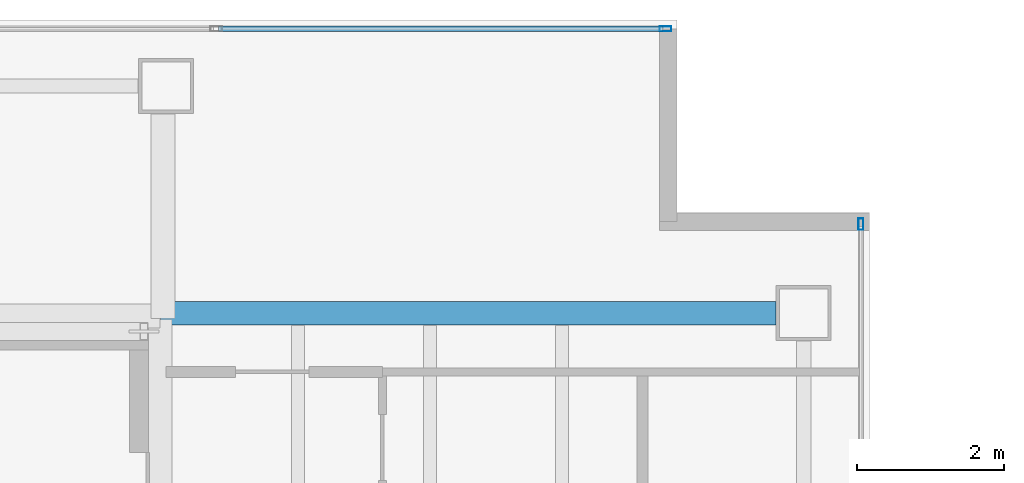
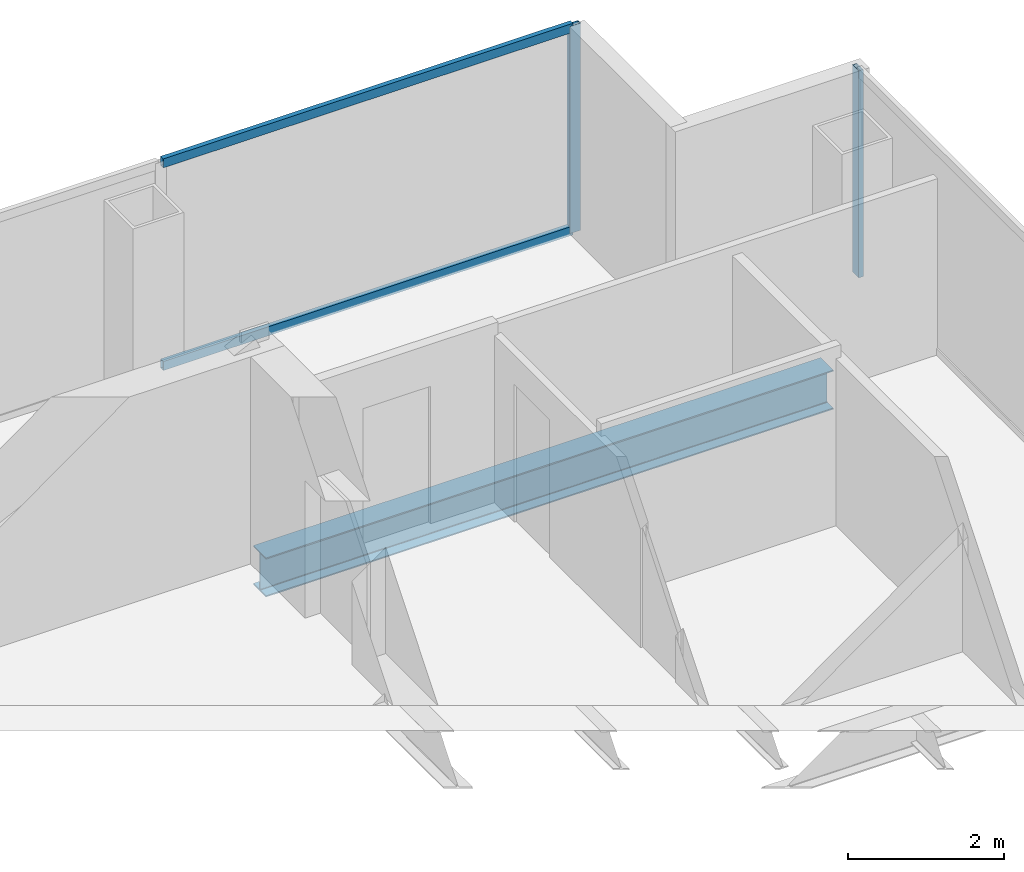
# One storey, part 18 of 23: 4 members, 1 beam, 2 elements without a shape of their own.
"""IFC4 building model written with IfcOpenShell, lengths in metres."""

from ifc_helpers import new_model, si_unit, direction, frame, origin, origin_2d, place, context, subcontext, project, spatial, hollow_rectangle, i_section, extrude, material, material_profile, profile_set, type_object, element, aggregate, save


model = new_model("IFC4")

# Units and contexts
model_context = context("Model", 3, precision=1e-05, world=origin(), true_north=direction((0.0, 1.0)))
body_context = subcontext(model_context, "Body", "Model", "MODEL_VIEW")
ifc_project = project(units=[si_unit("LENGTHUNIT", "METRE"), si_unit("AREAUNIT", "SQUARE_METRE"), si_unit("VOLUMEUNIT", "CUBIC_METRE"), si_unit("PLANEANGLEUNIT", "RADIAN"), si_unit("MASSUNIT", "GRAM", prefix="KILO")], contexts=[model_context])

# Site, building, storey
site_placement = place(None, origin())
site = spatial("IfcSite", under=ifc_project, at=site_placement, CompositionType="ELEMENT")
building_placement = place(site_placement, origin())
building = spatial("IfcBuilding", under=site, at=building_placement, Name="Cobrela Telecom Tower", CompositionType="ELEMENT")
storey_placement = place(building_placement, frame((0.0, 0.0, 208.25)))
storey = spatial("IfcBuildingStorey", under=building, at=storey_placement, Name="L53", CompositionType="ELEMENT", Elevation=208.25)

# Beam
ifc_material_1 = material(Name="Steel ASTM A992 Grade 50", Category="steel")
ifc_material_profile_1 = material_profile(ifc_material_1, i_section(OverallWidth=0.324951171875, OverallDepth=0.612060546875, WebThickness=0.0126953125, FlangeThickness=0.01904296875, FilletRadius=0.014892578125, at=origin_2d()), Name="W24X104")
ifc_profile_set_1 = profile_set([ifc_material_profile_1], Name="Steel ASTM A992 Grade 50")
beam_type = type_object("IfcBeamType", Name="BM-GIRD-07", PredefinedType="USERDEFINED", material=ifc_profile_set_1)
beam_placement = place(storey_placement, frame((14.324951171875, 36.0, -0.56591796875), z_axis=(1.0, 0.0, 0.0), x_axis=(0.0, 1.0, 0.0)))
element("IfcBeam", 1, at=beam_placement, inside=storey, type_object=beam_type, Name="L53 Primary Girder X22", ObjectType="GIRDER", PredefinedType="USERDEFINED", context=body_context, shape_type="SweptSolid", body=[
    extrude(i_section(OverallWidth=0.324951171875, OverallDepth=0.612060546875, WebThickness=0.0126953125, FlangeThickness=0.01904296875, FilletRadius=0.014892578125, at=origin_2d()), origin(), (0.0, 0.0, 1.0), 8.39501953125),
])

# Curtain wall, member
ifc_material_2 = material(Name="Anodized Bronze Aluminium 6063-T6", Category="aluminium")
curtain_wall_type = type_object("IfcCurtainWallType", Name="CW-SYS-OFF-LO", PredefinedType="USERDEFINED", material=ifc_material_2)
curtain_wall_1_placement = place(storey_placement, origin())
curtain_wall_1 = element("IfcCurtainWall", 2, at=curtain_wall_1_placement, inside=storey, type_object=curtain_wall_type, Name="L53 Unitised Bronze Curtain Wall 07", ObjectType="UNITISED CURTAIN WALL", PredefinedType="USERDEFINED")
ifc_material_profile_2 = material_profile(ifc_material_2, hollow_rectangle(XDim=0.070068359375, YDim=0.159912109375, WallThickness=0.00390625, at=origin_2d()), Name="ALU 70x160x4")
ifc_profile_set_2 = profile_set([ifc_material_profile_2], Name="Anodized Bronze Aluminium 6063-T6")
member_type_1 = type_object("IfcMemberType", Name="CW-SYS-OFF-LO-MUL", PredefinedType="MULLION", material=ifc_profile_set_2)
member_1_placement = place(storey_placement, frame((21.215087890625, 39.8798828125, 0.0), z_axis=(0.0, 0.0, 1.0), x_axis=(0.0, 1.0, 0.0)))
member_1 = element("IfcMember", 3, at=member_1_placement, type_object=member_type_1, Name="CW-OFF-LO mullion 4", PredefinedType="MULLION", context=body_context, shape_type="SweptSolid", body=[
    extrude(hollow_rectangle(XDim=0.070068359375, YDim=0.159912109375, WallThickness=0.00390625, at=origin_2d()), origin(), (0.0, 0.0, 1.0), 3.239990234375),
])

curtain_wall_2_placement = place(storey_placement, origin())
curtain_wall_2 = element("IfcCurtainWall", 4, at=curtain_wall_2_placement, inside=storey, type_object=curtain_wall_type, Name="L53 Unitised Bronze Curtain Wall 10", ObjectType="UNITISED CURTAIN WALL", PredefinedType="USERDEFINED")
member_2_placement = place(storey_placement, frame((23.8798828125, 37.215087890625, 0.0), z_axis=(0.0, 0.0, 1.0), x_axis=(1.0, 0.0, 0.0)))
member_2 = element("IfcMember", 5, at=member_2_placement, type_object=member_type_1, Name="CW-OFF-LO mullion 1", PredefinedType="MULLION", context=body_context, shape_type="SweptSolid", body=[
    extrude(hollow_rectangle(XDim=0.070068359375, YDim=0.159912109375, WallThickness=0.00390625, at=origin_2d()), origin(), (0.0, 0.0, 1.0), 3.239990234375),
])
aggregate(curtain_wall_2, [member_2])

# Member
ifc_material_profile_3 = material_profile(ifc_material_2, hollow_rectangle(XDim=0.070068359375, YDim=0.139892578125, WallThickness=0.00390625, at=origin_2d()), Name="ALU 70x140x4")
ifc_profile_set_3 = profile_set([ifc_material_profile_3], Name="Anodized Bronze Aluminium 6063-T6")
member_type_2 = type_object("IfcMemberType", Name="CW-SYS-OFF-LO-TRN", PredefinedType="USERDEFINED", material=ifc_profile_set_3)
member_3_placement = place(storey_placement, frame((15.118408203125, 39.8798828125, 0.034912109375), z_axis=(1.0, 0.0, 0.0), x_axis=(0.0, 1.0, 0.0)))
member_3 = element("IfcMember", 6, at=member_3_placement, type_object=member_type_2, Name="CW-OFF-LO transom 3.1", ObjectType="TRANSOM", PredefinedType="USERDEFINED", context=body_context, shape_type="SweptSolid", body=[
    extrude(hollow_rectangle(XDim=0.070068359375, YDim=0.139892578125, WallThickness=0.00390625, at=origin_2d()), origin(), (0.0, 0.0, 1.0), 6.0615234375),
])

member_4_placement = place(storey_placement, frame((15.118408203125, 39.8798828125, 3.205078125), z_axis=(1.0, 0.0, 0.0), x_axis=(0.0, 1.0, 0.0)))
member_4 = element("IfcMember", 7, at=member_4_placement, type_object=member_type_2, Name="CW-OFF-LO transom 3.2", ObjectType="TRANSOM", PredefinedType="USERDEFINED", context=body_context, shape_type="SweptSolid", body=[
    extrude(hollow_rectangle(XDim=0.070068359375, YDim=0.139892578125, WallThickness=0.00390625, at=origin_2d()), origin(), (0.0, 0.0, 1.0), 6.0615234375),
])

aggregate(curtain_wall_1, [member_1, member_3, member_4])

save(model, "model.ifc")
